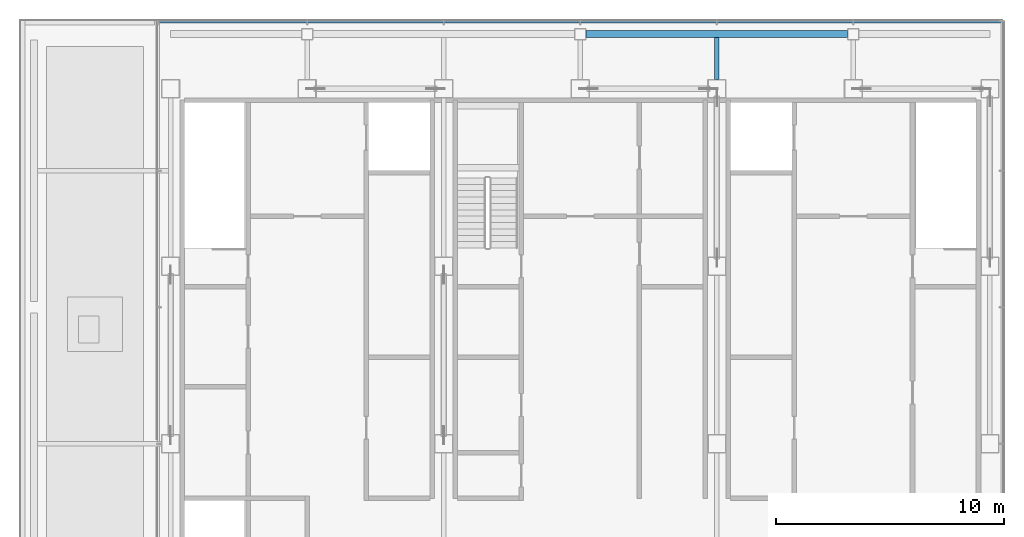
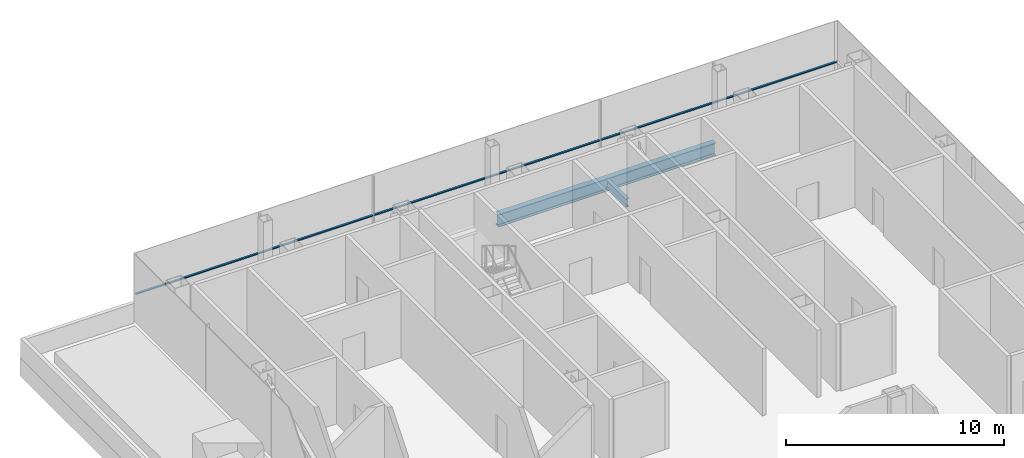
# One storey, part 6 of 12: 2 beams, 1 member, 1 element without a shape of its own.
"""IFC4 building model written with IfcOpenShell, lengths in metres."""

from ifc_helpers import new_model, si_unit, direction, frame, origin, origin_2d, place, context, subcontext, project, spatial, rectangle, i_section, extrude, material, material_profile, profile_set, type_object, element, aggregate, save


model = new_model("IFC4")

# Units and contexts
model_context = context("Model", 3, precision=1e-05, world=origin(), true_north=direction((0.0, 1.0)))
body_context = subcontext(model_context, "Body", "Model", "MODEL_VIEW")
ifc_project = project(units=[si_unit("LENGTHUNIT", "METRE"), si_unit("AREAUNIT", "SQUARE_METRE"), si_unit("VOLUMEUNIT", "CUBIC_METRE"), si_unit("PLANEANGLEUNIT", "RADIAN"), si_unit("MASSUNIT", "GRAM", prefix="KILO")], contexts=[model_context])

# Site, building, storey
site_placement = place(None, origin())
site = spatial("IfcSite", under=ifc_project, at=site_placement, CompositionType="ELEMENT")
building_placement = place(site_placement, origin())
building = spatial("IfcBuilding", under=site, at=building_placement, Name="Sorahane Residences", CompositionType="ELEMENT")
storey_placement = place(building_placement, frame((0.0, 0.0, 353.800048828125)))
storey = spatial("IfcBuildingStorey", under=building, at=storey_placement, Name="L84", CompositionType="ELEMENT", Elevation=353.800048828125)

# Curtain wall, member
ifc_material_1 = material(Name="Dark low-e glass and black anodised aluminium", Category="aluminium")
curtain_wall_type = type_object("IfcCurtainWallType", Name="Curtain wall CW-6 Crown unitised wall", PredefinedType="NOTDEFINED", material=ifc_material_1)
curtain_wall_placement = place(storey_placement, origin())
curtain_wall = element("IfcCurtainWall", 1, at=curtain_wall_placement, inside=storey, type_object=curtain_wall_type, Name="CW-6 curtain wall L84 N1", PredefinedType="NOTDEFINED")
ifc_material_2 = material(Name="Black anodised aluminium", Category="aluminium")
ifc_material_profile_1 = material_profile(ifc_material_2, rectangle(XDim=0.10009765625, YDim=0.06005859375, at=origin_2d()), Name="Curtain wall transom CW-6 black anodised aluminium 60x100")
ifc_profile_set_1 = profile_set([ifc_material_profile_1], Name="Black anodised aluminium")
member_type = type_object("IfcMemberType", Name="Curtain wall transom CW-6 black anodised aluminium 60x100", PredefinedType="USERDEFINED", material=ifc_profile_set_1)
member_placement = place(storey_placement, frame((42.550048828125, 48.530029296875, 1.5), z_axis=(-1.0, 0.0, 0.0), x_axis=(0.0, -1.0, 0.0)))
member = element("IfcMember", 2, at=member_placement, type_object=member_type, Name="CW-6 transom L84 N1", ObjectType="TRANSOM", PredefinedType="USERDEFINED", context=body_context, shape_type="SweptSolid", body=[
    extrude(rectangle(XDim=0.10009765625, YDim=0.06005859375, at=origin_2d()), origin(), (0.0, 0.0, 1.0), 37.10009765625),
])
aggregate(curtain_wall, [member])

# Beams
ifc_material_3 = material(Name="Steel Q355B", Category="steel")
ifc_material_profile_2 = material_profile(ifc_material_3, i_section(OverallWidth=0.199951171875, OverallDepth=0.449951171875, WebThickness=0.009033203125, FlangeThickness=0.013916015625, FilletRadius=0.02001953125, at=origin_2d()), Name="HN 450x200x9x14")
ifc_profile_set_2 = profile_set([ifc_material_profile_2], Name="Steel Q355B")
beam_type_1 = type_object("IfcBeamType", Name="Steel floor beam HN 450x200x9x14 Q355B", PredefinedType="BEAM", material=ifc_profile_set_2)
beam_1_placement = place(storey_placement, frame((30.0, 46.0, -0.47509765625), z_axis=(0.0, 1.0, 0.0), x_axis=(-1.0, 0.0, 0.0)))
element("IfcBeam", 3, at=beam_1_placement, inside=storey, type_object=beam_type_1, Name="Beam L84 021", PredefinedType="BEAM", context=body_context, shape_type="SweptSolid", body=[
    extrude(i_section(OverallWidth=0.199951171875, OverallDepth=0.449951171875, WebThickness=0.009033203125, FlangeThickness=0.013916015625, FilletRadius=0.02001953125, at=origin_2d()), origin(), (0.0, 0.0, 1.0), 1.85009765625),
])
ifc_material_4 = material(Name="Steel Q355B", Category="steel")
ifc_material_profile_3 = material_profile(ifc_material_4, i_section(OverallWidth=0.300048828125, OverallDepth=0.699951171875, WebThickness=0.012939453125, FlangeThickness=0.02392578125, FilletRadius=0.028076171875, at=origin_2d()), Name="HN 700x300x13x24")
ifc_profile_set_3 = profile_set([ifc_material_profile_3], Name="Steel Q355B")
beam_type_2 = type_object("IfcBeamType", Name="Steel floor beam HN 700x300x13x24 Q355B", PredefinedType="BEAM", material=ifc_profile_set_3)
beam_2_placement = place(storey_placement, frame((24.25, 48.0, -0.60009765625), z_axis=(1.0, 0.0, 0.0), x_axis=(0.0, 1.0, 0.0)))
element("IfcBeam", 4, at=beam_2_placement, inside=storey, type_object=beam_type_2, Name="Beam L84 001", PredefinedType="BEAM", context=body_context, shape_type="SweptSolid", body=[
    extrude(i_section(OverallWidth=0.300048828125, OverallDepth=0.699951171875, WebThickness=0.012939453125, FlangeThickness=0.02392578125, FilletRadius=0.028076171875, at=origin_2d()), origin(), (0.0, 0.0, 1.0), 11.5),
])

save(model, "model.ifc")
